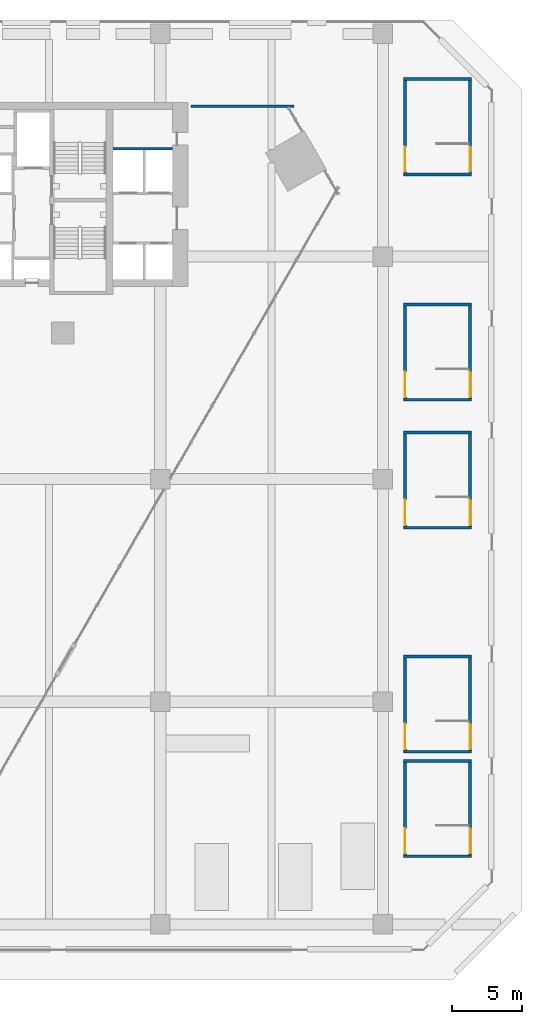
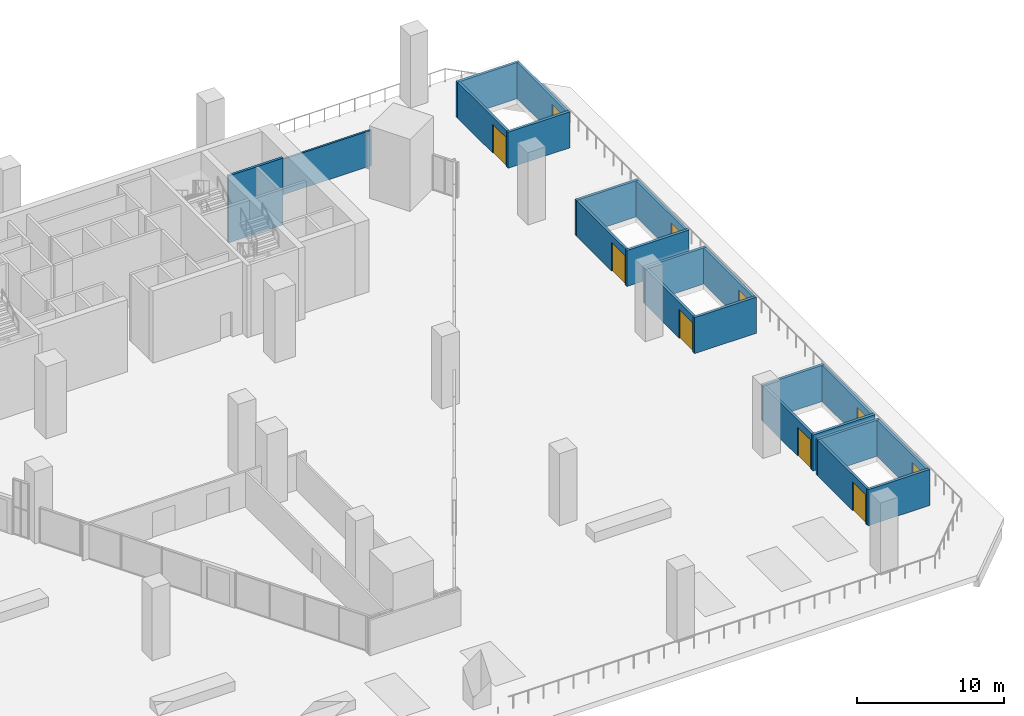
# One storey, part 21 of 25: 22 walls, 10 doors, 10 openings.
"""IFC4 building model written with IfcOpenShell, lengths in metres."""

from ifc_helpers import new_model, si_unit, direction, frame, frame_2d, origin, place, context, subcontext, project, spatial, rectangle, extrude, material, layer, layer_set, type_object, element, fill, save


model = new_model("IFC4")

# Units and contexts
model_context = context("Model", 3, precision=1e-05, world=origin(), true_north=direction((0.0, 1.0)))
body_context = subcontext(model_context, "Body", "Model", "MODEL_VIEW")
ifc_project = project(units=[si_unit("LENGTHUNIT", "METRE"), si_unit("AREAUNIT", "SQUARE_METRE"), si_unit("VOLUMEUNIT", "CUBIC_METRE"), si_unit("PLANEANGLEUNIT", "RADIAN"), si_unit("MASSUNIT", "GRAM", prefix="KILO")], contexts=[model_context])

# Site, building, storey
site_placement = place(None, origin())
site = spatial("IfcSite", under=ifc_project, at=site_placement, CompositionType="ELEMENT")
building_placement = place(site_placement, origin())
building = spatial("IfcBuilding", under=site, at=building_placement, Name="Calabash Gate Tower", CompositionType="ELEMENT")
storey_placement = place(building_placement, frame((0.0, 0.0, 40.0)))
storey = spatial("IfcBuildingStorey", under=building, at=storey_placement, Name="L05", CompositionType="ELEMENT", Elevation=40.0)

# Walls
ifc_material_1 = material(Name="Gypsum board on steel studs, mineral wool", Category="steel")
ifc_layer_1 = layer(ifc_material_1, 0.14990234375)
ifc_layer_set_1 = layer_set([ifc_layer_1], Name="Partition 150 gypsum board")
wall_type_1 = type_object("IfcWallType", Name="Partition 150 gypsum board", PredefinedType="PARTITIONING", material=ifc_layer_set_1)
wall_1_placement = place(storey_placement, frame((18.22509765625, 18.802978515625, 0.0), z_axis=(0.0, 0.0, 1.0), x_axis=(1.0, 0.0, 0.0)))
element("IfcWall", 1, at=wall_1_placement, inside=storey, type_object=wall_type_1, Name="Partition", PredefinedType="PARTITIONING", context=body_context, shape_type="SweptSolid", body=[
    extrude(rectangle(XDim=7.406005859375, YDim=0.14990234375, at=frame_2d((3.703125, 0.0))), origin(), (0.0, 0.0, 1.0), 2.949951171875),
])
ifc_material_2 = material(Name="Concrete C40/50", Category="concrete")
ifc_layer_2 = layer(ifc_material_2, 0.199951171875)
ifc_layer_set_2 = layer_set([ifc_layer_2], Name="Shaft wall 200 Concrete C40/50")
wall_type_2 = type_object("IfcWallType", Name="Shaft wall 200 Concrete C40/50", PredefinedType="SOLIDWALL", material=ifc_layer_set_2)
wall_2_placement = place(storey_placement, frame((12.60009765625, 15.752685546875, 0.0), z_axis=(0.0, 0.0, 1.0), x_axis=(1.0, 0.0, 0.0)))
element("IfcWall", 2, at=wall_2_placement, inside=storey, type_object=wall_type_2, Name="Shaft wall", PredefinedType="SOLIDWALL", context=body_context, shape_type="SweptSolid", body=[
    extrude(rectangle(XDim=4.2998046875, YDim=0.199951171875, at=frame_2d((2.14990234375, 0.0))), origin(), (0.0, 0.0, 1.0), 5.550048828125),
])
ifc_material_3 = material(Name="Concrete C40/50", Category="concrete")
ifc_layer_3 = layer(ifc_material_3, 0.199951171875)
ifc_layer_set_3 = layer_set([ifc_layer_3], Name="Stair wall 200 Concrete C40/50")
wall_type_3 = type_object("IfcWallType", Name="Stair wall 200 Concrete C40/50", PredefinedType="SOLIDWALL", material=ifc_layer_set_3)
for number, where, z_axis, x_axis, name in (
    (3, (33.5, -35.10009765625, 0.0), (0.0, 0.0, 1.0), (1.0, 0.0, 0.0), "Stair wall"),
    (4, (33.5, -28.25, 0.0), (0.0, 0.0, 1.0), (1.0, 0.0, 0.0), "Stair wall"),
):
    element("IfcWall", number, at=place(storey_placement, frame(where, z_axis=z_axis, x_axis=x_axis)), inside=storey, type_object=wall_type_3, Name=name, PredefinedType="SOLIDWALL", context=body_context, shape_type="SweptSolid", body=[
        extrude(rectangle(XDim=4.8701171875, YDim=0.199951171875, at=frame_2d((2.43505859375, 0.0))), origin(), (0.0, 0.0, 1.0), 3.0),
    ])

# Wall, opening, door
wall_3_placement = place(storey_placement, frame((33.60009765625, -35.0, 0.0), z_axis=(0.0, 0.0, 1.0), x_axis=(0.0, 1.0, 0.0)))
wall_3 = element("IfcWall", 5, at=wall_3_placement, inside=storey, type_object=wall_type_3, Name="Stair wall", PredefinedType="SOLIDWALL", context=body_context, shape_type="SweptSolid", body=[
    extrude(rectangle(XDim=6.64990234375, YDim=0.199951171875, at=frame_2d((3.324951171875, 0.0))), origin(), (0.0, 0.0, 1.0), 3.0),
])
opening_1_placement = place(wall_3_placement, frame((0.10009765625, 0.0, 0.0)))
opening_1 = element("IfcOpeningElement", 6, at=opening_1_placement, cuts=wall_3, Name="Opening L05-033", PredefinedType="OPENING", context=body_context, shape_type="SweptSolid", body=[
    extrude(rectangle(XDim=1.800048828125, YDim=2.39990234375, at=frame_2d((0.89990234375, 1.199951171875))), frame((0.0, 0.10986328125, 0.0), z_axis=(0.0, -1.0, 0.0), x_axis=(1.0, 0.0, 0.0)), (0.0, 0.0, 1.0), 0.219970703125),
])
ifc_material_4 = material(Name="Steel fire door set with fire-resisting glazing", Category="steel")
door_type = type_object("IfcDoorType", Name="Double fire door D16 1800x2400 FD90", OperationType="DOUBLE_DOOR_SINGLE_SWING", PredefinedType="DOOR", material=ifc_material_4)
door_1_placement = place(opening_1_placement, origin())
door_1 = element("IfcDoor", 7, at=door_1_placement, inside=storey, type_object=door_type, Name="Exit stair door PS6", OperationType="DOUBLE_DOOR_SINGLE_SWING", OverallHeight=2.39990234375, OverallWidth=1.800048828125, PredefinedType="DOOR", context=body_context, shape_type="SweptSolid", body=[
    extrude(rectangle(XDim=1.800048828125, YDim=2.39990234375, at=frame_2d((0.89990234375, 1.199951171875))), frame((0.0, 0.02490234375, 0.0), z_axis=(0.0, -1.0, 0.0), x_axis=(1.0, 0.0, 0.0)), (0.0, 0.0, 1.0), 0.050048828125),
])
fill(opening_1, door_1)

wall_4_placement = place(storey_placement, frame((38.27001953125, -35.0, 0.0), z_axis=(0.0, 0.0, 1.0), x_axis=(0.0, 1.0, 0.0)))
wall_4 = element("IfcWall", 8, at=wall_4_placement, inside=storey, type_object=wall_type_3, Name="Stair wall", PredefinedType="SOLIDWALL", context=body_context, shape_type="SweptSolid", body=[
    extrude(rectangle(XDim=6.64990234375, YDim=0.199951171875, at=frame_2d((3.324951171875, 0.0))), origin(), (0.0, 0.0, 1.0), 3.0),
])
opening_2_placement = place(wall_4_placement, frame((0.10009765625, 0.0, 0.0)))
opening_2 = element("IfcOpeningElement", 9, at=opening_2_placement, cuts=wall_4, Name="Opening L05-034", PredefinedType="OPENING", context=body_context, shape_type="SweptSolid", body=[
    extrude(rectangle(XDim=1.800048828125, YDim=2.39990234375, at=frame_2d((0.89990234375, 1.199951171875))), frame((0.0, 0.10986328125, 0.0), z_axis=(0.0, -1.0, 0.0), x_axis=(1.0, 0.0, 0.0)), (0.0, 0.0, 1.0), 0.219970703125),
])
door_2_placement = place(opening_2_placement, origin())
door_2 = element("IfcDoor", 10, at=door_2_placement, inside=storey, type_object=door_type, Name="Exit stair door PS6", OperationType="DOUBLE_DOOR_SINGLE_SWING", OverallHeight=2.39990234375, OverallWidth=1.800048828125, PredefinedType="DOOR", context=body_context, shape_type="SweptSolid", body=[
    extrude(rectangle(XDim=1.800048828125, YDim=2.39990234375, at=frame_2d((0.89990234375, 1.199951171875))), frame((0.0, 0.02490234375, 0.0), z_axis=(0.0, -1.0, 0.0), x_axis=(1.0, 0.0, 0.0)), (0.0, 0.0, 1.0), 0.050048828125),
])
fill(opening_2, door_2)

# Walls
for number, where, z_axis, x_axis, name in (
    (11, (33.5, -27.60009765625, 0.0), (0.0, 0.0, 1.0), (1.0, 0.0, 0.0), "Stair wall"),
    (12, (33.5, -20.75, 0.0), (0.0, 0.0, 1.0), (1.0, 0.0, 0.0), "Stair wall"),
):
    element("IfcWall", number, at=place(storey_placement, frame(where, z_axis=z_axis, x_axis=x_axis)), inside=storey, type_object=wall_type_3, Name=name, PredefinedType="SOLIDWALL", context=body_context, shape_type="SweptSolid", body=[
        extrude(rectangle(XDim=4.8701171875, YDim=0.199951171875, at=frame_2d((2.43505859375, 0.0))), origin(), (0.0, 0.0, 1.0), 3.0),
    ])

# Wall, opening, door
wall_5_placement = place(storey_placement, frame((33.60009765625, -27.5, 0.0), z_axis=(0.0, 0.0, 1.0), x_axis=(0.0, 1.0, 0.0)))
wall_5 = element("IfcWall", 13, at=wall_5_placement, inside=storey, type_object=wall_type_3, Name="Stair wall", PredefinedType="SOLIDWALL", context=body_context, shape_type="SweptSolid", body=[
    extrude(rectangle(XDim=6.64990234375, YDim=0.199951171875, at=frame_2d((3.324951171875, 0.0))), origin(), (0.0, 0.0, 1.0), 3.0),
])
opening_3_placement = place(wall_5_placement, frame((0.10009765625, 0.0, 0.0)))
opening_3 = element("IfcOpeningElement", 14, at=opening_3_placement, cuts=wall_5, Name="Opening L05-035", PredefinedType="OPENING", context=body_context, shape_type="SweptSolid", body=[
    extrude(rectangle(XDim=1.800048828125, YDim=2.39990234375, at=frame_2d((0.89990234375, 1.199951171875))), frame((0.0, 0.10986328125, 0.0), z_axis=(0.0, -1.0, 0.0), x_axis=(1.0, 0.0, 0.0)), (0.0, 0.0, 1.0), 0.219970703125),
])
door_3_placement = place(opening_3_placement, origin())
door_3 = element("IfcDoor", 15, at=door_3_placement, inside=storey, type_object=door_type, Name="Exit stair door PS7", OperationType="DOUBLE_DOOR_SINGLE_SWING", OverallHeight=2.39990234375, OverallWidth=1.800048828125, PredefinedType="DOOR", context=body_context, shape_type="SweptSolid", body=[
    extrude(rectangle(XDim=1.800048828125, YDim=2.39990234375, at=frame_2d((0.89990234375, 1.199951171875))), frame((0.0, 0.02490234375, 0.0), z_axis=(0.0, -1.0, 0.0), x_axis=(1.0, 0.0, 0.0)), (0.0, 0.0, 1.0), 0.050048828125),
])
fill(opening_3, door_3)

wall_6_placement = place(storey_placement, frame((38.27001953125, -27.5, 0.0), z_axis=(0.0, 0.0, 1.0), x_axis=(0.0, 1.0, 0.0)))
wall_6 = element("IfcWall", 16, at=wall_6_placement, inside=storey, type_object=wall_type_3, Name="Stair wall", PredefinedType="SOLIDWALL", context=body_context, shape_type="SweptSolid", body=[
    extrude(rectangle(XDim=6.64990234375, YDim=0.199951171875, at=frame_2d((3.324951171875, 0.0))), origin(), (0.0, 0.0, 1.0), 3.0),
])
opening_4_placement = place(wall_6_placement, frame((0.10009765625, 0.0, 0.0)))
opening_4 = element("IfcOpeningElement", 17, at=opening_4_placement, cuts=wall_6, Name="Opening L05-036", PredefinedType="OPENING", context=body_context, shape_type="SweptSolid", body=[
    extrude(rectangle(XDim=1.800048828125, YDim=2.39990234375, at=frame_2d((0.89990234375, 1.199951171875))), frame((0.0, 0.10986328125, 0.0), z_axis=(0.0, -1.0, 0.0), x_axis=(1.0, 0.0, 0.0)), (0.0, 0.0, 1.0), 0.219970703125),
])
door_4_placement = place(opening_4_placement, origin())
door_4 = element("IfcDoor", 18, at=door_4_placement, inside=storey, type_object=door_type, Name="Exit stair door PS7", OperationType="DOUBLE_DOOR_SINGLE_SWING", OverallHeight=2.39990234375, OverallWidth=1.800048828125, PredefinedType="DOOR", context=body_context, shape_type="SweptSolid", body=[
    extrude(rectangle(XDim=1.800048828125, YDim=2.39990234375, at=frame_2d((0.89990234375, 1.199951171875))), frame((0.0, 0.02490234375, 0.0), z_axis=(0.0, -1.0, 0.0), x_axis=(1.0, 0.0, 0.0)), (0.0, 0.0, 1.0), 0.050048828125),
])
fill(opening_4, door_4)

# Walls
for number, where, z_axis, x_axis, name in (
    (19, (33.5, -11.5, 0.0), (0.0, 0.0, 1.0), (1.0, 0.0, 0.0), "Stair wall"),
    (20, (33.5, -4.64990234375, 0.0), (0.0, 0.0, 1.0), (1.0, 0.0, 0.0), "Stair wall"),
):
    element("IfcWall", number, at=place(storey_placement, frame(where, z_axis=z_axis, x_axis=x_axis)), inside=storey, type_object=wall_type_3, Name=name, PredefinedType="SOLIDWALL", context=body_context, shape_type="SweptSolid", body=[
        extrude(rectangle(XDim=4.8701171875, YDim=0.199951171875, at=frame_2d((2.43505859375, 0.0))), origin(), (0.0, 0.0, 1.0), 3.0),
    ])

# Wall, opening, door
wall_7_placement = place(storey_placement, frame((33.60009765625, -11.39990234375, 0.0), z_axis=(0.0, 0.0, 1.0), x_axis=(0.0, 1.0, 0.0)))
wall_7 = element("IfcWall", 21, at=wall_7_placement, inside=storey, type_object=wall_type_3, Name="Stair wall", PredefinedType="SOLIDWALL", context=body_context, shape_type="SweptSolid", body=[
    extrude(rectangle(XDim=6.64990234375, YDim=0.199951171875, at=frame_2d((3.324951171875, 0.0))), origin(), (0.0, 0.0, 1.0), 3.0),
])
opening_5_placement = place(wall_7_placement, frame((0.10009765625, 0.0, 0.0)))
opening_5 = element("IfcOpeningElement", 22, at=opening_5_placement, cuts=wall_7, Name="Opening L05-037", PredefinedType="OPENING", context=body_context, shape_type="SweptSolid", body=[
    extrude(rectangle(XDim=1.800048828125, YDim=2.39990234375, at=frame_2d((0.89990234375, 1.199951171875))), frame((0.0, 0.10986328125, 0.0), z_axis=(0.0, -1.0, 0.0), x_axis=(1.0, 0.0, 0.0)), (0.0, 0.0, 1.0), 0.219970703125),
])
door_5_placement = place(opening_5_placement, origin())
door_5 = element("IfcDoor", 23, at=door_5_placement, inside=storey, type_object=door_type, Name="Exit stair door PS8", OperationType="DOUBLE_DOOR_SINGLE_SWING", OverallHeight=2.39990234375, OverallWidth=1.800048828125, PredefinedType="DOOR", context=body_context, shape_type="SweptSolid", body=[
    extrude(rectangle(XDim=1.800048828125, YDim=2.39990234375, at=frame_2d((0.89990234375, 1.199951171875))), frame((0.0, 0.02490234375, 0.0), z_axis=(0.0, -1.0, 0.0), x_axis=(1.0, 0.0, 0.0)), (0.0, 0.0, 1.0), 0.050048828125),
])
fill(opening_5, door_5)

wall_8_placement = place(storey_placement, frame((38.27001953125, -11.39990234375, 0.0), z_axis=(0.0, 0.0, 1.0), x_axis=(0.0, 1.0, 0.0)))
wall_8 = element("IfcWall", 24, at=wall_8_placement, inside=storey, type_object=wall_type_3, Name="Stair wall", PredefinedType="SOLIDWALL", context=body_context, shape_type="SweptSolid", body=[
    extrude(rectangle(XDim=6.64990234375, YDim=0.199951171875, at=frame_2d((3.324951171875, 0.0))), origin(), (0.0, 0.0, 1.0), 3.0),
])
opening_6_placement = place(wall_8_placement, frame((0.10009765625, 0.0, 0.0)))
opening_6 = element("IfcOpeningElement", 25, at=opening_6_placement, cuts=wall_8, Name="Opening L05-038", PredefinedType="OPENING", context=body_context, shape_type="SweptSolid", body=[
    extrude(rectangle(XDim=1.800048828125, YDim=2.39990234375, at=frame_2d((0.89990234375, 1.199951171875))), frame((0.0, 0.10986328125, 0.0), z_axis=(0.0, -1.0, 0.0), x_axis=(1.0, 0.0, 0.0)), (0.0, 0.0, 1.0), 0.219970703125),
])
door_6_placement = place(opening_6_placement, origin())
door_6 = element("IfcDoor", 26, at=door_6_placement, inside=storey, type_object=door_type, Name="Exit stair door PS8", OperationType="DOUBLE_DOOR_SINGLE_SWING", OverallHeight=2.39990234375, OverallWidth=1.800048828125, PredefinedType="DOOR", context=body_context, shape_type="SweptSolid", body=[
    extrude(rectangle(XDim=1.800048828125, YDim=2.39990234375, at=frame_2d((0.89990234375, 1.199951171875))), frame((0.0, 0.02490234375, 0.0), z_axis=(0.0, -1.0, 0.0), x_axis=(1.0, 0.0, 0.0)), (0.0, 0.0, 1.0), 0.050048828125),
])
fill(opening_6, door_6)

# Walls
for number, where, z_axis, x_axis, name in (
    (27, (33.5, -2.300048828125, 0.0), (0.0, 0.0, 1.0), (1.0, 0.0, 0.0), "Stair wall"),
    (28, (33.5, 4.550048828125, 0.0), (0.0, 0.0, 1.0), (1.0, 0.0, 0.0), "Stair wall"),
):
    element("IfcWall", number, at=place(storey_placement, frame(where, z_axis=z_axis, x_axis=x_axis)), inside=storey, type_object=wall_type_3, Name=name, PredefinedType="SOLIDWALL", context=body_context, shape_type="SweptSolid", body=[
        extrude(rectangle(XDim=4.8701171875, YDim=0.199951171875, at=frame_2d((2.43505859375, 0.0))), origin(), (0.0, 0.0, 1.0), 3.0),
    ])

# Wall, opening, door
wall_9_placement = place(storey_placement, frame((33.60009765625, -2.199951171875, 0.0), z_axis=(0.0, 0.0, 1.0), x_axis=(0.0, 1.0, 0.0)))
wall_9 = element("IfcWall", 29, at=wall_9_placement, inside=storey, type_object=wall_type_3, Name="Stair wall", PredefinedType="SOLIDWALL", context=body_context, shape_type="SweptSolid", body=[
    extrude(rectangle(XDim=6.64990234375, YDim=0.199951171875, at=frame_2d((3.324951171875, 0.0))), origin(), (0.0, 0.0, 1.0), 3.0),
])
opening_7_placement = place(wall_9_placement, frame((0.10009765625, 0.0, 0.0)))
opening_7 = element("IfcOpeningElement", 30, at=opening_7_placement, cuts=wall_9, Name="Opening L05-039", PredefinedType="OPENING", context=body_context, shape_type="SweptSolid", body=[
    extrude(rectangle(XDim=1.800048828125, YDim=2.39990234375, at=frame_2d((0.89990234375, 1.199951171875))), frame((0.0, 0.10986328125, 0.0), z_axis=(0.0, -1.0, 0.0), x_axis=(1.0, 0.0, 0.0)), (0.0, 0.0, 1.0), 0.219970703125),
])
door_7_placement = place(opening_7_placement, origin())
door_7 = element("IfcDoor", 31, at=door_7_placement, inside=storey, type_object=door_type, Name="Exit stair door PS9", OperationType="DOUBLE_DOOR_SINGLE_SWING", OverallHeight=2.39990234375, OverallWidth=1.800048828125, PredefinedType="DOOR", context=body_context, shape_type="SweptSolid", body=[
    extrude(rectangle(XDim=1.800048828125, YDim=2.39990234375, at=frame_2d((0.89990234375, 1.199951171875))), frame((0.0, 0.02490234375, 0.0), z_axis=(0.0, -1.0, 0.0), x_axis=(1.0, 0.0, 0.0)), (0.0, 0.0, 1.0), 0.050048828125),
])
fill(opening_7, door_7)

wall_10_placement = place(storey_placement, frame((38.27001953125, -2.199951171875, 0.0), z_axis=(0.0, 0.0, 1.0), x_axis=(0.0, 1.0, 0.0)))
wall_10 = element("IfcWall", 32, at=wall_10_placement, inside=storey, type_object=wall_type_3, Name="Stair wall", PredefinedType="SOLIDWALL", context=body_context, shape_type="SweptSolid", body=[
    extrude(rectangle(XDim=6.64990234375, YDim=0.199951171875, at=frame_2d((3.324951171875, 0.0))), origin(), (0.0, 0.0, 1.0), 3.0),
])
opening_8_placement = place(wall_10_placement, frame((0.10009765625, 0.0, 0.0)))
opening_8 = element("IfcOpeningElement", 33, at=opening_8_placement, cuts=wall_10, Name="Opening L05-040", PredefinedType="OPENING", context=body_context, shape_type="SweptSolid", body=[
    extrude(rectangle(XDim=1.800048828125, YDim=2.39990234375, at=frame_2d((0.89990234375, 1.199951171875))), frame((0.0, 0.10986328125, 0.0), z_axis=(0.0, -1.0, 0.0), x_axis=(1.0, 0.0, 0.0)), (0.0, 0.0, 1.0), 0.219970703125),
])
door_8_placement = place(opening_8_placement, origin())
door_8 = element("IfcDoor", 34, at=door_8_placement, inside=storey, type_object=door_type, Name="Exit stair door PS9", OperationType="DOUBLE_DOOR_SINGLE_SWING", OverallHeight=2.39990234375, OverallWidth=1.800048828125, PredefinedType="DOOR", context=body_context, shape_type="SweptSolid", body=[
    extrude(rectangle(XDim=1.800048828125, YDim=2.39990234375, at=frame_2d((0.89990234375, 1.199951171875))), frame((0.0, 0.02490234375, 0.0), z_axis=(0.0, -1.0, 0.0), x_axis=(1.0, 0.0, 0.0)), (0.0, 0.0, 1.0), 0.050048828125),
])
fill(opening_8, door_8)

# Walls
for number, where, z_axis, x_axis, name in (
    (35, (33.5, 13.89990234375, 0.0), (0.0, 0.0, 1.0), (1.0, 0.0, 0.0), "Stair wall"),
    (36, (33.5, 20.75, 0.0), (0.0, 0.0, 1.0), (1.0, 0.0, 0.0), "Stair wall"),
):
    element("IfcWall", number, at=place(storey_placement, frame(where, z_axis=z_axis, x_axis=x_axis)), inside=storey, type_object=wall_type_3, Name=name, PredefinedType="SOLIDWALL", context=body_context, shape_type="SweptSolid", body=[
        extrude(rectangle(XDim=4.8701171875, YDim=0.199951171875, at=frame_2d((2.43505859375, 0.0))), origin(), (0.0, 0.0, 1.0), 3.0),
    ])

# Wall, opening, door
wall_11_placement = place(storey_placement, frame((33.60009765625, 14.0, 0.0), z_axis=(0.0, 0.0, 1.0), x_axis=(0.0, 1.0, 0.0)))
wall_11 = element("IfcWall", 37, at=wall_11_placement, inside=storey, type_object=wall_type_3, Name="Stair wall", PredefinedType="SOLIDWALL", context=body_context, shape_type="SweptSolid", body=[
    extrude(rectangle(XDim=6.64990234375, YDim=0.199951171875, at=frame_2d((3.324951171875, 0.0))), origin(), (0.0, 0.0, 1.0), 3.0),
])
opening_9_placement = place(wall_11_placement, frame((0.10009765625, 0.0, 0.0)))
opening_9 = element("IfcOpeningElement", 38, at=opening_9_placement, cuts=wall_11, Name="Opening L05-041", PredefinedType="OPENING", context=body_context, shape_type="SweptSolid", body=[
    extrude(rectangle(XDim=1.800048828125, YDim=2.39990234375, at=frame_2d((0.89990234375, 1.199951171875))), frame((0.0, 0.10986328125, 0.0), z_axis=(0.0, -1.0, 0.0), x_axis=(1.0, 0.0, 0.0)), (0.0, 0.0, 1.0), 0.219970703125),
])
door_9_placement = place(opening_9_placement, origin())
door_9 = element("IfcDoor", 39, at=door_9_placement, inside=storey, type_object=door_type, Name="Exit stair door PS10", OperationType="DOUBLE_DOOR_SINGLE_SWING", OverallHeight=2.39990234375, OverallWidth=1.800048828125, PredefinedType="DOOR", context=body_context, shape_type="SweptSolid", body=[
    extrude(rectangle(XDim=1.800048828125, YDim=2.39990234375, at=frame_2d((0.89990234375, 1.199951171875))), frame((0.0, 0.02490234375, 0.0), z_axis=(0.0, -1.0, 0.0), x_axis=(1.0, 0.0, 0.0)), (0.0, 0.0, 1.0), 0.050048828125),
])
fill(opening_9, door_9)

wall_12_placement = place(storey_placement, frame((38.27001953125, 14.0, 0.0), z_axis=(0.0, 0.0, 1.0), x_axis=(0.0, 1.0, 0.0)))
wall_12 = element("IfcWall", 40, at=wall_12_placement, inside=storey, type_object=wall_type_3, Name="Stair wall", PredefinedType="SOLIDWALL", context=body_context, shape_type="SweptSolid", body=[
    extrude(rectangle(XDim=6.64990234375, YDim=0.199951171875, at=frame_2d((3.324951171875, 0.0))), origin(), (0.0, 0.0, 1.0), 3.0),
])
opening_10_placement = place(wall_12_placement, frame((0.10009765625, 0.0, 0.0)))
opening_10 = element("IfcOpeningElement", 41, at=opening_10_placement, cuts=wall_12, Name="Opening L05-042", PredefinedType="OPENING", context=body_context, shape_type="SweptSolid", body=[
    extrude(rectangle(XDim=1.800048828125, YDim=2.39990234375, at=frame_2d((0.89990234375, 1.199951171875))), frame((0.0, 0.10986328125, 0.0), z_axis=(0.0, -1.0, 0.0), x_axis=(1.0, 0.0, 0.0)), (0.0, 0.0, 1.0), 0.219970703125),
])
door_10_placement = place(opening_10_placement, origin())
door_10 = element("IfcDoor", 42, at=door_10_placement, inside=storey, type_object=door_type, Name="Exit stair door PS10", OperationType="DOUBLE_DOOR_SINGLE_SWING", OverallHeight=2.39990234375, OverallWidth=1.800048828125, PredefinedType="DOOR", context=body_context, shape_type="SweptSolid", body=[
    extrude(rectangle(XDim=1.800048828125, YDim=2.39990234375, at=frame_2d((0.89990234375, 1.199951171875))), frame((0.0, 0.02490234375, 0.0), z_axis=(0.0, -1.0, 0.0), x_axis=(1.0, 0.0, 0.0)), (0.0, 0.0, 1.0), 0.050048828125),
])
fill(opening_10, door_10)

save(model, "model.ifc")
